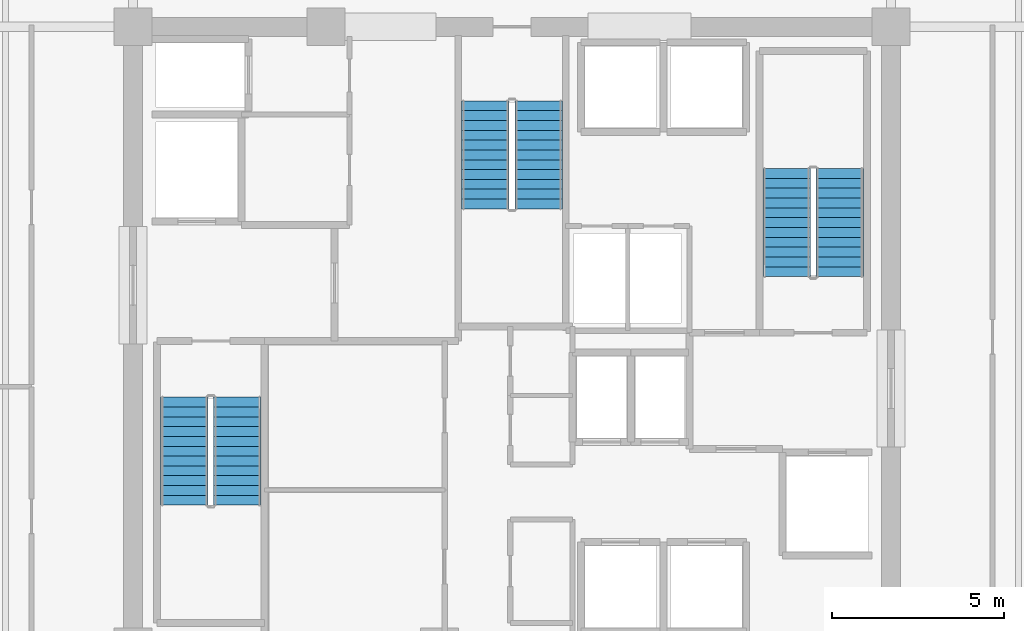
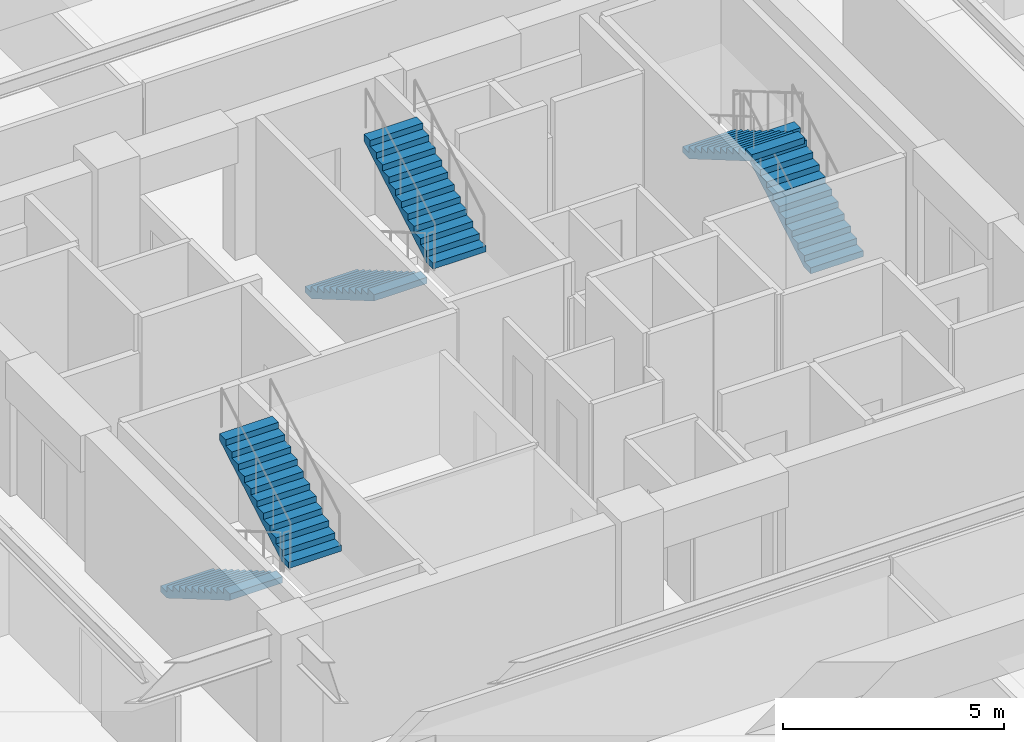
# One storey, part 19 of 24: 6 stair flights, 3 elements without a shape of their own.
"""IFC4 building model written with IfcOpenShell, lengths in metres."""

from ifc_helpers import new_model, si_unit, direction, frame, origin, place, context, subcontext, project, spatial, polyline, outline, extrude, material, type_object, element, aggregate, save


model = new_model("IFC4")

# Units and contexts
model_context = context("Model", 3, precision=1e-05, world=origin(), true_north=direction((0.0, 1.0)))
body_context = subcontext(model_context, "Body", "Model", "MODEL_VIEW")
ifc_project = project(units=[si_unit("LENGTHUNIT", "METRE"), si_unit("AREAUNIT", "SQUARE_METRE"), si_unit("VOLUMEUNIT", "CUBIC_METRE"), si_unit("PLANEANGLEUNIT", "RADIAN"), si_unit("MASSUNIT", "GRAM", prefix="KILO")], contexts=[model_context])

# Site, building, storey
site_placement = place(None, origin())
site = spatial("IfcSite", under=ifc_project, at=site_placement, CompositionType="ELEMENT")
building_placement = place(site_placement, origin())
building = spatial("IfcBuilding", under=site, at=building_placement, Name="Kovane Verandah Tower", CompositionType="ELEMENT")
storey_placement = place(building_placement, frame((0.0, 0.0, 132.39990234375)))
storey = spatial("IfcBuildingStorey", under=building, at=storey_placement, Name="L30", CompositionType="ELEMENT", Elevation=132.39990234375)

# Stair, stair flights
ifc_material = material(Name="Concrete C45/55", Category="concrete")
stair_type = type_object("IfcStairType", Name="ST-CORE-1380", PredefinedType="HALF_TURN_STAIR", material=ifc_material)
stair_1_placement = place(storey_placement, origin())
stair_1 = element("IfcStair", 1, at=stair_1_placement, inside=storey, type_object=stair_type, Name="L30 Exit Stair ST-01", PredefinedType="HALF_TURN_STAIR")
stair_flight_type = type_object("IfcStairFlightType", Name="STF-CORE-1380", PredefinedType="STRAIGHT", material=ifc_material)
stair_flight_1_placement = place(storey_placement, frame((30.489990234375, 25.75, 0.0), z_axis=(0.0, 0.0, 1.0), x_axis=(0.0, -1.0, 0.0)))
stair_flight_1 = element("IfcStairFlight", 2, at=stair_flight_1_placement, type_object=stair_flight_type, Name="ST-01 flight 1", NumberOfRisers=12, NumberOfTreads=11, PredefinedType="STRAIGHT", RiserHeight=0.166666667, TreadLength=0.285, context=body_context, shape_type="SweptSolid", body=[
    extrude(outline(polyline([(0.0, 0.0), (0.0, 0.166748046875), (0.284912109375, 0.166748046875), (0.284912109375, 0.333251953125), (0.570068359375, 0.333251953125), (0.570068359375, 0.5), (0.85498046875, 0.5), (0.85498046875, 0.666748046875), (1.139892578125, 0.666748046875), (1.139892578125, 0.833251953125), (1.425048828125, 0.833251953125), (1.425048828125, 1.0), (1.7099609375, 1.0), (1.7099609375, 1.166748046875), (1.9951171875, 1.166748046875), (1.9951171875, 1.333251953125), (2.280029296875, 1.333251953125), (2.280029296875, 1.5), (2.56494140625, 1.5), (2.56494140625, 1.666748046875), (2.85009765625, 1.666748046875), (2.85009765625, 1.833251953125), (3.135009765625, 1.833251953125), (3.135009765625, 2.0), (3.135009765625, 1.65966796875), (0.296875, 0.0), (0.0, 0.0)])), frame((0.0, 0.68994140625, 0.0), z_axis=(0.0, -1.0, 0.0), x_axis=(1.0, 0.0, 0.0)), (0.0, 0.0, 1.0), 1.3798828125),
])
stair_flight_2_placement = place(storey_placement, frame((32.030029296875, 22.614990234375, 2.0), z_axis=(0.0, 0.0, 1.0), x_axis=(0.0, 1.0, 0.0)))
stair_flight_2 = element("IfcStairFlight", 3, at=stair_flight_2_placement, type_object=stair_flight_type, Name="ST-01 flight 2", NumberOfRisers=12, NumberOfTreads=11, PredefinedType="STRAIGHT", RiserHeight=0.166666667, TreadLength=0.285, context=body_context, shape_type="SweptSolid", body=[
    extrude(outline(polyline([(0.0, 0.0), (0.0, 0.166748046875), (0.284912109375, 0.166748046875), (0.284912109375, 0.333251953125), (0.570068359375, 0.333251953125), (0.570068359375, 0.5), (0.85498046875, 0.5), (0.85498046875, 0.666748046875), (1.139892578125, 0.666748046875), (1.139892578125, 0.833251953125), (1.425048828125, 0.833251953125), (1.425048828125, 1.0), (1.7099609375, 1.0), (1.7099609375, 1.166748046875), (1.9951171875, 1.166748046875), (1.9951171875, 1.333251953125), (2.280029296875, 1.333251953125), (2.280029296875, 1.5), (2.56494140625, 1.5), (2.56494140625, 1.666748046875), (2.85009765625, 1.666748046875), (2.85009765625, 1.833251953125), (3.135009765625, 1.833251953125), (3.135009765625, 2.0), (3.135009765625, 1.65966796875), (0.296875, 0.0), (0.0, 0.0)])), frame((0.0, 0.68994140625, 0.0), z_axis=(0.0, -1.0, 0.0), x_axis=(1.0, 0.0, 0.0)), (0.0, 0.0, 1.0), 1.3798828125),
])
aggregate(stair_1, [stair_flight_1, stair_flight_2])

stair_2_placement = place(storey_placement, origin())
stair_2 = element("IfcStair", 4, at=stair_2_placement, inside=storey, type_object=stair_type, Name="L30 Exit Stair ST-02", PredefinedType="HALF_TURN_STAIR")
stair_flight_3_placement = place(storey_placement, frame((49.510009765625, 29.25, 0.0), z_axis=(0.0, 0.0, 1.0), x_axis=(0.0, 1.0, 0.0)))
stair_flight_3 = element("IfcStairFlight", 5, at=stair_flight_3_placement, type_object=stair_flight_type, Name="ST-02 flight 1", NumberOfRisers=12, NumberOfTreads=11, PredefinedType="STRAIGHT", RiserHeight=0.166666667, TreadLength=0.285, context=body_context, shape_type="SweptSolid", body=[
    extrude(outline(polyline([(0.0, 0.0), (0.0, 0.166748046875), (0.284912109375, 0.166748046875), (0.284912109375, 0.333251953125), (0.570068359375, 0.333251953125), (0.570068359375, 0.5), (0.85498046875, 0.5), (0.85498046875, 0.666748046875), (1.139892578125, 0.666748046875), (1.139892578125, 0.833251953125), (1.425048828125, 0.833251953125), (1.425048828125, 1.0), (1.7099609375, 1.0), (1.7099609375, 1.166748046875), (1.9951171875, 1.166748046875), (1.9951171875, 1.333251953125), (2.280029296875, 1.333251953125), (2.280029296875, 1.5), (2.56494140625, 1.5), (2.56494140625, 1.666748046875), (2.85009765625, 1.666748046875), (2.85009765625, 1.833251953125), (3.135009765625, 1.833251953125), (3.135009765625, 2.0), (3.135009765625, 1.65966796875), (0.296875, 0.0), (0.0, 0.0)])), frame((0.0, 0.68994140625, 0.0), z_axis=(0.0, -1.0, 0.0), x_axis=(1.0, 0.0, 0.0)), (0.0, 0.0, 1.0), 1.3798828125),
])
stair_flight_4_placement = place(storey_placement, frame((47.969970703125, 32.385009765625, 2.0), z_axis=(0.0, 0.0, 1.0), x_axis=(0.0, -1.0, 0.0)))
stair_flight_4 = element("IfcStairFlight", 6, at=stair_flight_4_placement, type_object=stair_flight_type, Name="ST-02 flight 2", NumberOfRisers=12, NumberOfTreads=11, PredefinedType="STRAIGHT", RiserHeight=0.166666667, TreadLength=0.285, context=body_context, shape_type="SweptSolid", body=[
    extrude(outline(polyline([(0.0, 0.0), (0.0, 0.166748046875), (0.284912109375, 0.166748046875), (0.284912109375, 0.333251953125), (0.570068359375, 0.333251953125), (0.570068359375, 0.5), (0.85498046875, 0.5), (0.85498046875, 0.666748046875), (1.139892578125, 0.666748046875), (1.139892578125, 0.833251953125), (1.425048828125, 0.833251953125), (1.425048828125, 1.0), (1.7099609375, 1.0), (1.7099609375, 1.166748046875), (1.9951171875, 1.166748046875), (1.9951171875, 1.333251953125), (2.280029296875, 1.333251953125), (2.280029296875, 1.5), (2.56494140625, 1.5), (2.56494140625, 1.666748046875), (2.85009765625, 1.666748046875), (2.85009765625, 1.833251953125), (3.135009765625, 1.833251953125), (3.135009765625, 2.0), (3.135009765625, 1.65966796875), (0.296875, 0.0), (0.0, 0.0)])), frame((0.0, 0.68994140625, 0.0), z_axis=(0.0, -1.0, 0.0), x_axis=(1.0, 0.0, 0.0)), (0.0, 0.0, 1.0), 1.3798828125),
])
aggregate(stair_2, [stair_flight_3, stair_flight_4])

stair_3_placement = place(storey_placement, origin())
stair_3 = element("IfcStair", 7, at=stair_3_placement, inside=storey, type_object=stair_type, Name="L30 Exit Stair ST-03", PredefinedType="HALF_TURN_STAIR")
stair_flight_5_placement = place(storey_placement, frame((39.22998046875, 34.35009765625, 0.0), z_axis=(0.0, 0.0, 1.0), x_axis=(0.0, -1.0, 0.0)))
stair_flight_5 = element("IfcStairFlight", 8, at=stair_flight_5_placement, type_object=stair_flight_type, Name="ST-03 flight 1", NumberOfRisers=12, NumberOfTreads=11, PredefinedType="STRAIGHT", RiserHeight=0.166666667, TreadLength=0.285, context=body_context, shape_type="SweptSolid", body=[
    extrude(outline(polyline([(0.0, 0.0), (0.0, 0.166748046875), (0.284912109375, 0.166748046875), (0.284912109375, 0.333251953125), (0.570068359375, 0.333251953125), (0.570068359375, 0.5), (0.85498046875, 0.5), (0.85498046875, 0.666748046875), (1.139892578125, 0.666748046875), (1.139892578125, 0.833251953125), (1.425048828125, 0.833251953125), (1.425048828125, 1.0), (1.7099609375, 1.0), (1.7099609375, 1.166748046875), (1.9951171875, 1.166748046875), (1.9951171875, 1.333251953125), (2.280029296875, 1.333251953125), (2.280029296875, 1.5), (2.56494140625, 1.5), (2.56494140625, 1.666748046875), (2.85009765625, 1.666748046875), (2.85009765625, 1.833251953125), (3.135009765625, 1.833251953125), (3.135009765625, 2.0), (3.135009765625, 1.65966796875), (0.296875, 0.0), (0.0, 0.0)])), frame((0.0, 0.68994140625, 0.0), z_axis=(0.0, -1.0, 0.0), x_axis=(1.0, 0.0, 0.0)), (0.0, 0.0, 1.0), 1.3798828125),
])
stair_flight_6_placement = place(storey_placement, frame((40.77001953125, 31.215087890625, 2.0), z_axis=(0.0, 0.0, 1.0), x_axis=(0.0, 1.0, 0.0)))
stair_flight_6 = element("IfcStairFlight", 9, at=stair_flight_6_placement, type_object=stair_flight_type, Name="ST-03 flight 2", NumberOfRisers=12, NumberOfTreads=11, PredefinedType="STRAIGHT", RiserHeight=0.166666667, TreadLength=0.285, context=body_context, shape_type="SweptSolid", body=[
    extrude(outline(polyline([(0.0, 0.0), (0.0, 0.166748046875), (0.284912109375, 0.166748046875), (0.284912109375, 0.333251953125), (0.570068359375, 0.333251953125), (0.570068359375, 0.5), (0.85498046875, 0.5), (0.85498046875, 0.666748046875), (1.139892578125, 0.666748046875), (1.139892578125, 0.833251953125), (1.425048828125, 0.833251953125), (1.425048828125, 1.0), (1.7099609375, 1.0), (1.7099609375, 1.166748046875), (1.9951171875, 1.166748046875), (1.9951171875, 1.333251953125), (2.280029296875, 1.333251953125), (2.280029296875, 1.5), (2.56494140625, 1.5), (2.56494140625, 1.666748046875), (2.85009765625, 1.666748046875), (2.85009765625, 1.833251953125), (3.135009765625, 1.833251953125), (3.135009765625, 2.0), (3.135009765625, 1.65966796875), (0.296875, 0.0), (0.0, 0.0)])), frame((0.0, 0.68994140625, 0.0), z_axis=(0.0, -1.0, 0.0), x_axis=(1.0, 0.0, 0.0)), (0.0, 0.0, 1.0), 1.3798828125),
])
aggregate(stair_3, [stair_flight_5, stair_flight_6])

save(model, "model.ifc")
